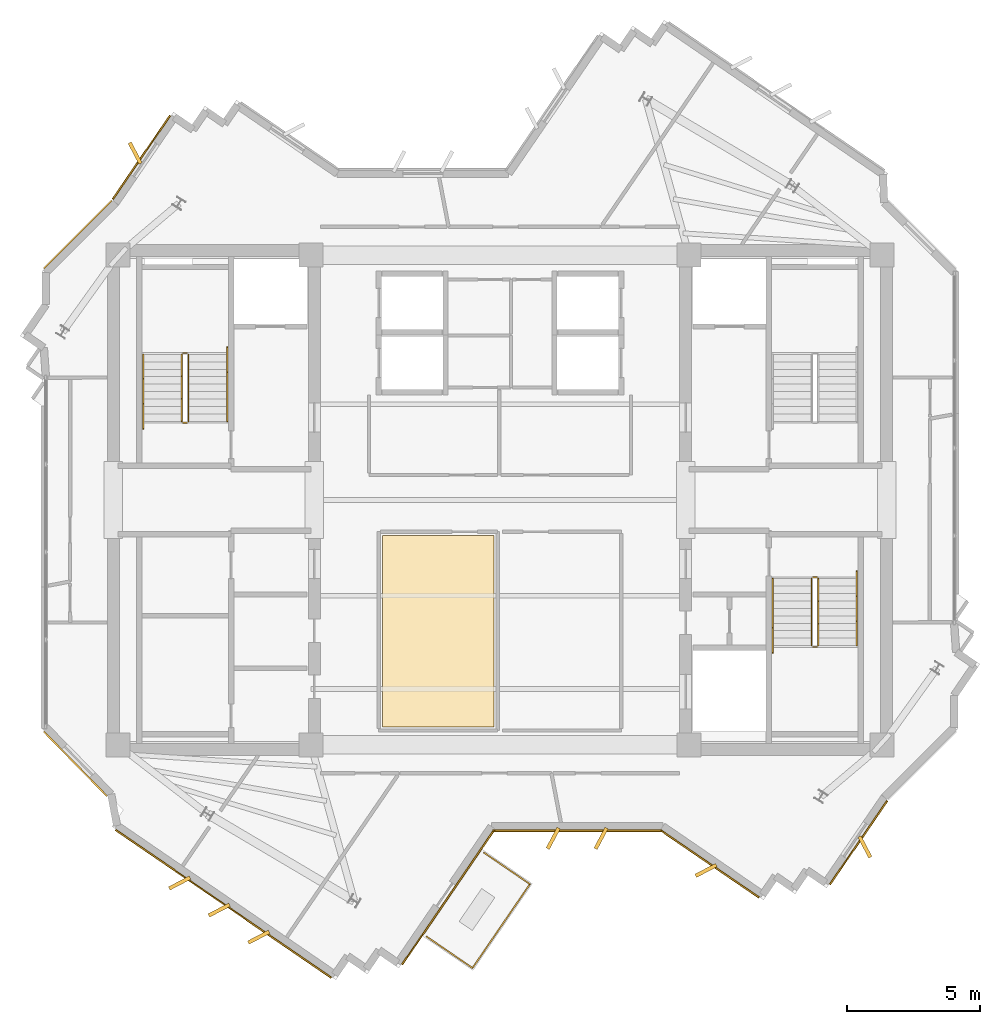
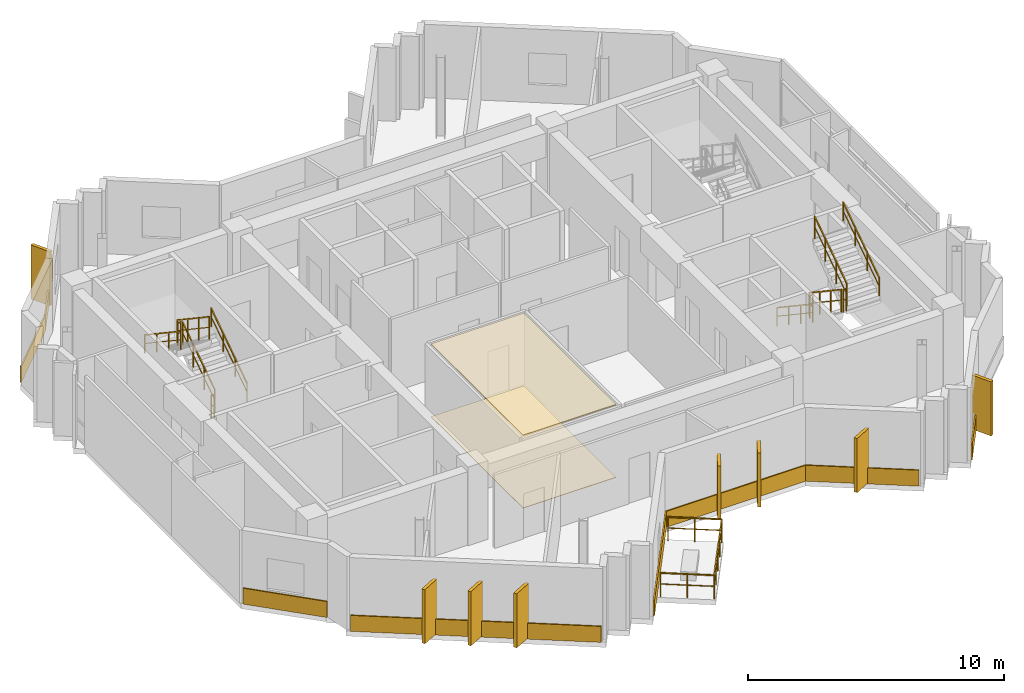
# One storey, part 10 of 11: 18 coverings, 15 railings.
"""IFC4 building model written with IfcOpenShell, lengths in metres."""

from ifc_helpers import new_model, si_unit, direction, frame, origin, origin_2d, place, context, subcontext, project, spatial, polyline, rectangle, outline, extrude, source, transform, mapped, material, layer, layer_set, type_object, element, save


model = new_model("IFC4")

# Units and contexts
model_context = context("Model", 3, precision=1e-05, world=origin(), true_north=direction((0.0, 1.0)))
body_context = subcontext(model_context, "Body", "Model", "MODEL_VIEW")
ifc_project = project(units=[si_unit("LENGTHUNIT", "METRE"), si_unit("AREAUNIT", "SQUARE_METRE"), si_unit("VOLUMEUNIT", "CUBIC_METRE"), si_unit("PLANEANGLEUNIT", "RADIAN"), si_unit("MASSUNIT", "GRAM", prefix="KILO")], contexts=[model_context])

# Site, building, storey
site_placement = place(None, origin())
site = spatial("IfcSite", under=ifc_project, at=site_placement, CompositionType="ELEMENT")
building_placement = place(site_placement, origin())
building = spatial("IfcBuilding", under=site, at=building_placement, Name="Zahravan Cultural Tower", CompositionType="ELEMENT")
storey_placement = place(building_placement, frame((0.0, 0.0, 331.050048828125)))
storey = spatial("IfcBuildingStorey", under=building, at=storey_placement, Name="L80", CompositionType="ELEMENT", Elevation=331.050048828125)

# Coverings
ifc_material_1 = material(Name="Acoustic mineral fibreboard")
ifc_layer_1 = layer(ifc_material_1, 0.0400390625)
ifc_layer_set_1 = layer_set([ifc_layer_1], Name="Acoustic mineral fibreboard")
covering_type_1 = type_object("IfcCoveringType", Name="COV-CEIL-AC20", PredefinedType="CEILING", material=ifc_layer_set_1)
covering_1_placement = place(storey_placement, frame((0.0, 0.0, 3.4599609375)))
element("IfcCovering", 1, at=covering_1_placement, inside=storey, type_object=covering_type_1, Name="L80 Acoustic Suspended Ceiling", PredefinedType="CEILING", context=body_context, shape_type="SweptSolid", body=[
    extrude(outline(polyline([(35.77001953125, 25.669921875), (31.580078125, 25.669921875), (31.580078125, 18.47998046875), (35.77001953125, 18.47998046875), (35.77001953125, 25.669921875)])), origin(), (0.0, 0.0, 1.0), 0.0400390625),
])
ifc_material_2 = material(Name="Terrazzo flooring")
ifc_layer_2 = layer(ifc_material_2, 0.02490234375)
ifc_layer_set_2 = layer_set([ifc_layer_2], Name="Terrazzo flooring")
covering_type_2 = type_object("IfcCoveringType", Name="COV-FLR-TZ25", PredefinedType="FLOORING", material=ifc_layer_set_2)
covering_2_placement = place(storey_placement, origin())
element("IfcCovering", 2, at=covering_2_placement, inside=storey, type_object=covering_type_2, Name="L80 Polished Terrazzo Flooring", PredefinedType="FLOORING", context=body_context, shape_type="SweptSolid", body=[
    extrude(outline(polyline([(35.77001953125, 25.669921875), (31.580078125, 25.669921875), (31.580078125, 18.47998046875), (35.77001953125, 18.47998046875), (35.77001953125, 25.669921875)])), origin(), (0.0, 0.0, 1.0), 0.02490234375),
])

# Railings
ifc_material_3 = material(Name="Steel ASTM A572 Grade 50", Category="steel")
railing_type_1 = type_object("IfcRailingType", Name="RL-BAL-1150", PredefinedType="BALUSTRADE", material=ifc_material_3)
railing_1_placement = place(storey_placement, frame((37.125, 12.571044921875, 0.0)))
element("IfcRailing", 3, at=railing_1_placement, inside=storey, type_object=railing_type_1, Name="L80 Edge Balustrade GRD-TR-L80-SW-01", PredefinedType="BALUSTRADE", context=body_context, shape_type="SweptSolid", body=[
    extrude(rectangle(XDim=0.05, YDim=0.05, at=origin_2d()), frame((0.0, 0.0, 1.125), z_axis=(-0.564981732672, -0.825103412759, 0.0), x_axis=(0.825103412759, -0.564981732672, 0.0)), (0.0, 0.0, 1.0), 3.820068359375),
    extrude(rectangle(XDim=0.032, YDim=0.032, at=origin_2d()), frame((0.0, 0.0, 0.597900390625), z_axis=(-0.564981732672, -0.825103412759, 0.0), x_axis=(0.825103412759, -0.564981732672, 0.0)), (0.0, 0.0, 1.0), 3.820068359375),
    extrude(rectangle(XDim=0.04, YDim=0.04, at=origin_2d()), origin(), (0.0, 0.0, 1.0), 1.14990234375),
    extrude(rectangle(XDim=0.04, YDim=0.04, at=origin_2d()), frame((-0.53955078125, -0.7880859375, 0.0)), (0.0, 0.0, 1.0), 1.14990234375),
    extrude(rectangle(XDim=0.04, YDim=0.04, at=origin_2d()), frame((-1.0791015625, -1.575927734375, 0.0)), (0.0, 0.0, 1.0), 1.14990234375),
    extrude(rectangle(XDim=0.04, YDim=0.04, at=origin_2d()), frame((-1.61865234375, -2.36376953125, 0.0)), (0.0, 0.0, 1.0), 1.14990234375),
    extrude(rectangle(XDim=0.04, YDim=0.04, at=origin_2d()), frame((-2.158203125, -3.15185546875, 0.0)), (0.0, 0.0, 1.0), 1.14990234375),
])
railing_2_placement = place(storey_placement, frame((34.966796875, 9.419189453125, 0.0)))
element("IfcRailing", 4, at=railing_2_placement, inside=storey, type_object=railing_type_1, Name="L80 Edge Balustrade GRD-TR-L80-SW-02", PredefinedType="BALUSTRADE", context=body_context, shape_type="SweptSolid", body=[
    extrude(rectangle(XDim=0.05, YDim=0.05, at=origin_2d()), frame((0.0, 0.0, 1.125), z_axis=(-0.825119027376, 0.564958928296, 0.0), x_axis=(-0.564958928296, -0.825119027376, 0.0)), (0.0, 0.0, 1.0), 2.10009765625),
    extrude(rectangle(XDim=0.032, YDim=0.032, at=origin_2d()), frame((0.0, 0.0, 0.597900390625), z_axis=(-0.825119027376, 0.564958928296, 0.0), x_axis=(-0.564958928296, -0.825119027376, 0.0)), (0.0, 0.0, 1.0), 2.10009765625),
    extrude(rectangle(XDim=0.04, YDim=0.04, at=origin_2d()), origin(), (0.0, 0.0, 1.0), 1.14990234375),
    extrude(rectangle(XDim=0.04, YDim=0.04, at=origin_2d()), frame((-0.866455078125, 0.59326171875, 0.0)), (0.0, 0.0, 1.0), 1.14990234375),
    extrude(rectangle(XDim=0.04, YDim=0.04, at=origin_2d()), frame((-1.73291015625, 1.1865234375, 0.0)), (0.0, 0.0, 1.0), 1.14990234375),
])
railing_3_placement = place(storey_placement, frame((35.39208984375, 13.757568359375, 0.0)))
element("IfcRailing", 5, at=railing_3_placement, inside=storey, type_object=railing_type_1, Name="L80 Edge Balustrade GRD-TR-L80-SW-03", PredefinedType="BALUSTRADE", context=body_context, shape_type="SweptSolid", body=[
    extrude(rectangle(XDim=0.05, YDim=0.05, at=origin_2d()), frame((0.0, 0.0, 1.125), z_axis=(0.825119027376, -0.564958928296, 0.0), x_axis=(0.564958928296, 0.825119027376, 0.0)), (0.0, 0.0, 1.0), 2.10009765625),
    extrude(rectangle(XDim=0.032, YDim=0.032, at=origin_2d()), frame((0.0, 0.0, 0.597900390625), z_axis=(0.825119027376, -0.564958928296, 0.0), x_axis=(0.564958928296, 0.825119027376, 0.0)), (0.0, 0.0, 1.0), 2.10009765625),
    extrude(rectangle(XDim=0.04, YDim=0.04, at=origin_2d()), origin(), (0.0, 0.0, 1.0), 1.14990234375),
    extrude(rectangle(XDim=0.04, YDim=0.04, at=origin_2d()), frame((0.866455078125, -0.59326171875, 0.0)), (0.0, 0.0, 1.0), 1.14990234375),
    extrude(rectangle(XDim=0.04, YDim=0.04, at=origin_2d()), frame((1.73291015625, -1.1865234375, 0.0)), (0.0, 0.0, 1.0), 1.14990234375),
])
railing_type_2 = type_object("IfcRailingType", Name="RL-STAIR-GRD1150", PredefinedType="BALUSTRADE", material=ifc_material_3)
railing_4_placement = place(storey_placement, frame((24.300048828125, 29.949951171875, 0.1875)))
element("IfcRailing", 6, at=railing_4_placement, inside=storey, type_object=railing_type_2, Name="L80 ST-W1 stair guard 1", PredefinedType="BALUSTRADE", context=body_context, shape_type="SweptSolid", body=[
    extrude(rectangle(XDim=0.05, YDim=0.05, at=origin_2d()), frame((0.0, 0.0, 1.0751953125), z_axis=(0.0, 0.830909170722, 0.55640807867), x_axis=(-1.0, 0.0, 0.0)), (0.0, 0.0, 1.0), 3.032958984375),
    extrude(rectangle(XDim=0.032, YDim=0.032, at=origin_2d()), frame((0.0, 0.0, 0.572021484375), z_axis=(0.0, 0.830909170722, 0.55640807867), x_axis=(-1.0, 0.0, 0.0)), (0.0, 0.0, 1.0), 3.032958984375),
    extrude(rectangle(XDim=0.04, YDim=0.04, at=origin_2d()), origin(), (0.0, 0.0, 1.0), 1.10009765625),
    extrude(rectangle(XDim=0.04, YDim=0.04, at=origin_2d()), frame((0.0, 0.840087890625, 0.5625)), (0.0, 0.0, 1.0), 1.10009765625),
    extrude(rectangle(XDim=0.04, YDim=0.04, at=origin_2d()), frame((0.0, 1.679931640625, 1.125)), (0.0, 0.0, 1.0), 1.10009765625),
    extrude(rectangle(XDim=0.04, YDim=0.04, at=origin_2d()), frame((0.0, 2.52001953125, 1.6875)), (0.0, 0.0, 1.0), 1.10009765625),
])
railing_5_placement = place(storey_placement, frame((24.25, 32.52001953125, 1.875)))
element("IfcRailing", 7, at=railing_5_placement, inside=storey, type_object=railing_type_2, Name="L80 ST-W1 stair guard 2", PredefinedType="BALUSTRADE", context=body_context, shape_type="SweptSolid", body=[
    extrude(rectangle(XDim=0.05, YDim=0.05, at=origin_2d()), frame((0.0, 0.0, 1.0751953125), z_axis=(-1.0, 0.0, 0.0), x_axis=(0.0, -1.0, 0.0)), (0.0, 0.0, 1.0), 0.14990234375),
    extrude(rectangle(XDim=0.032, YDim=0.032, at=origin_2d()), frame((0.0, 0.0, 0.572021484375), z_axis=(-1.0, 0.0, 0.0), x_axis=(0.0, -1.0, 0.0)), (0.0, 0.0, 1.0), 0.14990234375),
    extrude(rectangle(XDim=0.04, YDim=0.04, at=origin_2d()), origin(), (0.0, 0.0, 1.0), 1.10009765625),
    extrude(rectangle(XDim=0.04, YDim=0.04, at=origin_2d()), frame((-0.14990234375, 0.0, 0.0)), (0.0, 0.0, 1.0), 1.10009765625),
])
railing_6_placement = place(storey_placement, frame((24.050048828125, 32.469970703125, 2.0625)))
element("IfcRailing", 8, at=railing_6_placement, inside=storey, type_object=railing_type_2, Name="L80 ST-W1 stair guard 3", PredefinedType="BALUSTRADE", context=body_context, shape_type="SweptSolid", body=[
    extrude(rectangle(XDim=0.05, YDim=0.05, at=origin_2d()), frame((0.0, 0.0, 1.0751953125), z_axis=(0.0, -0.830909170722, 0.55640807867), x_axis=(1.0, 0.0, 0.0)), (0.0, 0.0, 1.0), 3.032958984375),
    extrude(rectangle(XDim=0.032, YDim=0.032, at=origin_2d()), frame((0.0, 0.0, 0.572021484375), z_axis=(0.0, -0.830909170722, 0.55640807867), x_axis=(1.0, 0.0, 0.0)), (0.0, 0.0, 1.0), 3.032958984375),
    extrude(rectangle(XDim=0.04, YDim=0.04, at=origin_2d()), origin(), (0.0, 0.0, 1.0), 1.10009765625),
    extrude(rectangle(XDim=0.04, YDim=0.04, at=origin_2d()), frame((0.0, -0.840087890625, 0.5625)), (0.0, 0.0, 1.0), 1.10009765625),
    extrude(rectangle(XDim=0.04, YDim=0.04, at=origin_2d()), frame((0.0, -1.679931640625, 1.125)), (0.0, 0.0, 1.0), 1.10009765625),
    extrude(rectangle(XDim=0.04, YDim=0.04, at=origin_2d()), frame((0.0, -2.52001953125, 1.6875)), (0.0, 0.0, 1.0), 1.10009765625),
])
railing_7_placement = place(storey_placement, frame((24.25, 29.89990234375, 0.0)))
element("IfcRailing", 9, at=railing_7_placement, inside=storey, type_object=railing_type_2, Name="L80 ST-W1 stair guard 4", PredefinedType="BALUSTRADE", context=body_context, shape_type="SweptSolid", body=[
    extrude(rectangle(XDim=0.05, YDim=0.05, at=origin_2d()), frame((0.0, 0.0, 1.0751953125), z_axis=(-1.0, 0.0, 0.0), x_axis=(0.0, -1.0, 0.0)), (0.0, 0.0, 1.0), 0.14990234375),
    extrude(rectangle(XDim=0.032, YDim=0.032, at=origin_2d()), frame((0.0, 0.0, 0.572021484375), z_axis=(-1.0, 0.0, 0.0), x_axis=(0.0, -1.0, 0.0)), (0.0, 0.0, 1.0), 0.14990234375),
    extrude(rectangle(XDim=0.04, YDim=0.04, at=origin_2d()), origin(), (0.0, 0.0, 1.0), 1.10009765625),
    extrude(rectangle(XDim=0.04, YDim=0.04, at=origin_2d()), frame((-0.14990234375, 0.0, 0.0)), (0.0, 0.0, 1.0), 1.10009765625),
])
railing_8_placement = place(storey_placement, frame((47.699951171875, 24.050048828125, 0.1875)))
element("IfcRailing", 10, at=railing_8_placement, inside=storey, type_object=railing_type_2, Name="L80 ST-E2 stair guard 1", PredefinedType="BALUSTRADE", context=body_context, shape_type="SweptSolid", body=[
    extrude(rectangle(XDim=0.05, YDim=0.05, at=origin_2d()), frame((0.0, 0.0, 1.0751953125), z_axis=(0.0, -0.830909170722, 0.55640807867), x_axis=(1.0, 0.0, 0.0)), (0.0, 0.0, 1.0), 3.032958984375),
    extrude(rectangle(XDim=0.032, YDim=0.032, at=origin_2d()), frame((0.0, 0.0, 0.572021484375), z_axis=(0.0, -0.830909170722, 0.55640807867), x_axis=(1.0, 0.0, 0.0)), (0.0, 0.0, 1.0), 3.032958984375),
    extrude(rectangle(XDim=0.04, YDim=0.04, at=origin_2d()), origin(), (0.0, 0.0, 1.0), 1.10009765625),
    extrude(rectangle(XDim=0.04, YDim=0.04, at=origin_2d()), frame((0.0, -0.840087890625, 0.5625)), (0.0, 0.0, 1.0), 1.10009765625),
    extrude(rectangle(XDim=0.04, YDim=0.04, at=origin_2d()), frame((0.0, -1.679931640625, 1.125)), (0.0, 0.0, 1.0), 1.10009765625),
    extrude(rectangle(XDim=0.04, YDim=0.04, at=origin_2d()), frame((0.0, -2.52001953125, 1.6875)), (0.0, 0.0, 1.0), 1.10009765625),
])
railing_9_placement = place(storey_placement, frame((47.75, 21.47998046875, 1.875)))
element("IfcRailing", 11, at=railing_9_placement, inside=storey, type_object=railing_type_2, Name="L80 ST-E2 stair guard 2", PredefinedType="BALUSTRADE", context=body_context, shape_type="SweptSolid", body=[
    extrude(rectangle(XDim=0.05, YDim=0.05, at=origin_2d()), frame((0.0, 0.0, 1.0751953125), z_axis=(1.0, 0.0, 0.0), x_axis=(0.0, 1.0, 0.0)), (0.0, 0.0, 1.0), 0.14990234375),
    extrude(rectangle(XDim=0.032, YDim=0.032, at=origin_2d()), frame((0.0, 0.0, 0.572021484375), z_axis=(1.0, 0.0, 0.0), x_axis=(0.0, 1.0, 0.0)), (0.0, 0.0, 1.0), 0.14990234375),
    extrude(rectangle(XDim=0.04, YDim=0.04, at=origin_2d()), origin(), (0.0, 0.0, 1.0), 1.10009765625),
    extrude(rectangle(XDim=0.04, YDim=0.04, at=origin_2d()), frame((0.14990234375, 0.0, 0.0)), (0.0, 0.0, 1.0), 1.10009765625),
])
railing_10_placement = place(storey_placement, frame((47.949951171875, 21.530029296875, 2.0625)))
element("IfcRailing", 12, at=railing_10_placement, inside=storey, type_object=railing_type_2, Name="L80 ST-E2 stair guard 3", PredefinedType="BALUSTRADE", context=body_context, shape_type="SweptSolid", body=[
    extrude(rectangle(XDim=0.05, YDim=0.05, at=origin_2d()), frame((0.0, 0.0, 1.0751953125), z_axis=(0.0, 0.830909170722, 0.55640807867), x_axis=(-1.0, 0.0, 0.0)), (0.0, 0.0, 1.0), 3.032958984375),
    extrude(rectangle(XDim=0.032, YDim=0.032, at=origin_2d()), frame((0.0, 0.0, 0.572021484375), z_axis=(0.0, 0.830909170722, 0.55640807867), x_axis=(-1.0, 0.0, 0.0)), (0.0, 0.0, 1.0), 3.032958984375),
    extrude(rectangle(XDim=0.04, YDim=0.04, at=origin_2d()), origin(), (0.0, 0.0, 1.0), 1.10009765625),
    extrude(rectangle(XDim=0.04, YDim=0.04, at=origin_2d()), frame((0.0, 0.840087890625, 0.5625)), (0.0, 0.0, 1.0), 1.10009765625),
    extrude(rectangle(XDim=0.04, YDim=0.04, at=origin_2d()), frame((0.0, 1.679931640625, 1.125)), (0.0, 0.0, 1.0), 1.10009765625),
    extrude(rectangle(XDim=0.04, YDim=0.04, at=origin_2d()), frame((0.0, 2.52001953125, 1.6875)), (0.0, 0.0, 1.0), 1.10009765625),
])
railing_11_placement = place(storey_placement, frame((47.75, 24.10009765625, 0.0)))
element("IfcRailing", 13, at=railing_11_placement, inside=storey, type_object=railing_type_2, Name="L80 ST-E2 stair guard 4", PredefinedType="BALUSTRADE", context=body_context, shape_type="SweptSolid", body=[
    extrude(rectangle(XDim=0.05, YDim=0.05, at=origin_2d()), frame((0.0, 0.0, 1.0751953125), z_axis=(1.0, 0.0, 0.0), x_axis=(0.0, 1.0, 0.0)), (0.0, 0.0, 1.0), 0.14990234375),
    extrude(rectangle(XDim=0.032, YDim=0.032, at=origin_2d()), frame((0.0, 0.0, 0.572021484375), z_axis=(1.0, 0.0, 0.0), x_axis=(0.0, 1.0, 0.0)), (0.0, 0.0, 1.0), 0.14990234375),
    extrude(rectangle(XDim=0.04, YDim=0.04, at=origin_2d()), origin(), (0.0, 0.0, 1.0), 1.10009765625),
    extrude(rectangle(XDim=0.04, YDim=0.04, at=origin_2d()), frame((0.14990234375, 0.0, 0.0)), (0.0, 0.0, 1.0), 1.10009765625),
])
railing_type_3 = type_object("IfcRailingType", Name="RL-STAIR-HR900", PredefinedType="HANDRAIL", material=ifc_material_3)
railing_12_placement = place(storey_placement, frame((25.75, 29.949951171875, 0.1875)))
element("IfcRailing", 14, at=railing_12_placement, inside=storey, type_object=railing_type_3, Name="L80 ST-W1 stair handrail 1", PredefinedType="HANDRAIL", context=body_context, shape_type="SweptSolid", body=[
    extrude(rectangle(XDim=0.05, YDim=0.05, at=origin_2d()), frame((0.0, 0.0, 0.875), z_axis=(0.0, 0.830911662861, 0.55640435703), x_axis=(-1.0, 0.0, 0.0)), (0.0, 0.0, 1.0), 3.369873046875),
    extrude(rectangle(XDim=0.032, YDim=0.032, at=origin_2d()), frame((0.0, 0.0, 0.468017578125), z_axis=(0.0, 0.830911662861, 0.55640435703), x_axis=(-1.0, 0.0, 0.0)), (0.0, 0.0, 1.0), 3.369873046875),
    extrude(rectangle(XDim=0.04, YDim=0.04, at=origin_2d()), origin(), (0.0, 0.0, 1.0), 0.89990234375),
    extrude(rectangle(XDim=0.04, YDim=0.04, at=origin_2d()), frame((0.0, 0.933349609375, 0.625)), (0.0, 0.0, 1.0), 0.89990234375),
    extrude(rectangle(XDim=0.04, YDim=0.04, at=origin_2d()), frame((0.0, 1.86669921875, 1.25)), (0.0, 0.0, 1.0), 0.89990234375),
    extrude(rectangle(XDim=0.04, YDim=0.04, at=origin_2d()), frame((0.0, 2.800048828125, 1.875)), (0.0, 0.0, 1.0), 0.89990234375),
])
for number, where, name in (
    (15, (22.60009765625, 32.469970703125, 2.0625), "L80 ST-W1 stair handrail 2"),
    (16, (46.25, 24.050048828125, 0.1875), "L80 ST-E2 stair handrail 1"),
):
    element("IfcRailing", number, at=place(storey_placement, frame(where)), inside=storey, type_object=railing_type_3, Name=name, PredefinedType="HANDRAIL", context=body_context, shape_type="SweptSolid", body=[
        extrude(rectangle(XDim=0.05, YDim=0.05, at=origin_2d()), frame((0.0, 0.0, 0.875), z_axis=(0.0, -0.830911662861, 0.55640435703), x_axis=(1.0, 0.0, 0.0)), (0.0, 0.0, 1.0), 3.369873046875),
        extrude(rectangle(XDim=0.032, YDim=0.032, at=origin_2d()), frame((0.0, 0.0, 0.468017578125), z_axis=(0.0, -0.830911662861, 0.55640435703), x_axis=(1.0, 0.0, 0.0)), (0.0, 0.0, 1.0), 3.369873046875),
        extrude(rectangle(XDim=0.04, YDim=0.04, at=origin_2d()), origin(), (0.0, 0.0, 1.0), 0.89990234375),
        extrude(rectangle(XDim=0.04, YDim=0.04, at=origin_2d()), frame((0.0, -0.933349609375, 0.625)), (0.0, 0.0, 1.0), 0.89990234375),
        extrude(rectangle(XDim=0.04, YDim=0.04, at=origin_2d()), frame((0.0, -1.86669921875, 1.25)), (0.0, 0.0, 1.0), 0.89990234375),
        extrude(rectangle(XDim=0.04, YDim=0.04, at=origin_2d()), frame((0.0, -2.800048828125, 1.875)), (0.0, 0.0, 1.0), 0.89990234375),
    ])
railing_13_placement = place(storey_placement, frame((49.39990234375, 21.530029296875, 2.0625)))
element("IfcRailing", 17, at=railing_13_placement, inside=storey, type_object=railing_type_3, Name="L80 ST-E2 stair handrail 2", PredefinedType="HANDRAIL", context=body_context, shape_type="SweptSolid", body=[
    extrude(rectangle(XDim=0.05, YDim=0.05, at=origin_2d()), frame((0.0, 0.0, 0.875), z_axis=(0.0, 0.830911662861, 0.55640435703), x_axis=(-1.0, 0.0, 0.0)), (0.0, 0.0, 1.0), 3.369873046875),
    extrude(rectangle(XDim=0.032, YDim=0.032, at=origin_2d()), frame((0.0, 0.0, 0.468017578125), z_axis=(0.0, 0.830911662861, 0.55640435703), x_axis=(-1.0, 0.0, 0.0)), (0.0, 0.0, 1.0), 3.369873046875),
    extrude(rectangle(XDim=0.04, YDim=0.04, at=origin_2d()), origin(), (0.0, 0.0, 1.0), 0.89990234375),
    extrude(rectangle(XDim=0.04, YDim=0.04, at=origin_2d()), frame((0.0, 0.933349609375, 0.625)), (0.0, 0.0, 1.0), 0.89990234375),
    extrude(rectangle(XDim=0.04, YDim=0.04, at=origin_2d()), frame((0.0, 1.86669921875, 1.25)), (0.0, 0.0, 1.0), 0.89990234375),
    extrude(rectangle(XDim=0.04, YDim=0.04, at=origin_2d()), frame((0.0, 2.800048828125, 1.875)), (0.0, 0.0, 1.0), 0.89990234375),
])

# Coverings
ifc_material_4 = material(Name="Terracotta ceramic cladding", Category="masonry")
ifc_layer_3 = layer(ifc_material_4, 0.06005859375)
ifc_layer_set_3 = layer_set([ifc_layer_3], Name="Terracotta ceramic cladding")
covering_type_3 = type_object("IfcCoveringType", Name="COV-CLAD-TC60", PredefinedType="CLADDING", material=ifc_layer_set_3)
shared_shape_1 = source(origin(), body_context, "Body", "SweptSolid", [
    extrude(rectangle(XDim=9.820068359375, YDim=0.06005859375, at=origin_2d()), origin(), (0.0, 0.0, 1.0), 0.760009765625),
])
covering_3_placement = place(storey_placement, frame((25.613037109375, 11.830322265625, 0.02001953125), z_axis=(0.0, 0.0, 1.0), x_axis=(-0.825123358687, 0.564952602392, 0.0)))
element("IfcCovering", 18, at=covering_3_placement, inside=storey, type_object=covering_type_3, Name="L80 Terracotta Spandrel Cladding 39", PredefinedType="CLADDING", context=body_context, shape_type="MappedRepresentation", body=[
    mapped(shared_shape_1, transform((0.0, 0.0, 0.0), x_axis=(1.0, 0.0, 0.0), y_axis=(0.0, 1.0, 0.0), z_axis=(0.0, 0.0, 1.0), scale=1.0)),
])
shared_shape_2 = source(origin(), body_context, "Body", "SweptSolid", [
    extrude(rectangle(XDim=0.8798828125, YDim=0.139892578125, at=origin_2d()), origin(), (0.0, 0.0, 1.0), 2.580078125),
])
for number, where, z_axis, x_axis, name in (
    (19, (22.29443359375, 40.02978515625, 0.0498046875), (0.0, 0.0, 1.0), (-0.46331150222, 0.886195493055, 0.0), "L80 Herringbone Terracotta Fin 01"),
    (20, (49.70556640625, 13.97021484375, 0.0498046875), (0.0, 0.0, 1.0), (0.46331150222, -0.886195493055, 0.0), "L80 Herringbone Terracotta Fin 10"),
    (21, (43.73828125, 13.08447265625, 0.0498046875), (0.0, 0.0, 1.0), (-0.886203579231, -0.46329603512, 0.0), "L80 Herringbone Terracotta Fin 11"),
    (22, (39.797119140625, 14.2900390625, 0.0498046875), (0.0, 0.0, 1.0), (-0.469471562786, -0.882947592859, 0.0), "L80 Herringbone Terracotta Fin 12"),
    (23, (37.9970703125, 14.2900390625, 0.0498046875), (0.0, 0.0, 1.0), (-0.469471562786, -0.882947592859, 0.0), "L80 Herringbone Terracotta Fin 13"),
    (24, (26.937255859375, 10.578125, 0.0498046875), (0.0, 0.0, 1.0), (-0.886195493055, -0.46331150222, 0.0), "L80 Herringbone Terracotta Fin 14"),
    (25, (25.4521484375, 11.59521484375, 0.0498046875), (0.0, 0.0, 1.0), (-0.886195493055, -0.46331150222, 0.0), "L80 Herringbone Terracotta Fin 15"),
    (26, (23.966796875, 12.612060546875, 0.0498046875), (0.0, 0.0, 1.0), (-0.886195493055, -0.46331150222, 0.0), "L80 Herringbone Terracotta Fin 16"),
):
    element("IfcCovering", number, at=place(storey_placement, frame(where, z_axis=z_axis, x_axis=x_axis)), inside=storey, type_object=covering_type_3, Name=name, PredefinedType="CLADDING", context=body_context, shape_type="MappedRepresentation", body=[
        mapped(shared_shape_2, transform((0.0, 0.0, 0.0), x_axis=(1.0, 0.0, 0.0), y_axis=(0.0, 1.0, 0.0), z_axis=(0.0, 0.0, 1.0), scale=1.0)),
    ])
shared_shape_3 = source(origin(), body_context, "Body", "SweptSolid", [
    extrude(rectangle(XDim=3.40771484375, YDim=0.06005859375, at=origin_2d()), origin(), (0.0, 0.0, 1.0), 0.760009765625),
])
covering_4_placement = place(storey_placement, frame((20.04833984375, 17.0888671875, 0.02001953125), z_axis=(0.0, 0.0, 1.0), x_axis=(-0.699189330443, 0.714936556762, 0.0)))
element("IfcCovering", 27, at=covering_4_placement, inside=storey, type_object=covering_type_3, Name="L80 Terracotta Spandrel Cladding 01", PredefinedType="CLADDING", context=body_context, shape_type="MappedRepresentation", body=[
    mapped(shared_shape_3, transform((0.0, 0.0, 0.0), x_axis=(1.0, 0.0, 0.0), y_axis=(0.0, 1.0, 0.0), z_axis=(0.0, 0.0, 1.0), scale=1.0)),
])
shared_shape_4 = source(origin(), body_context, "Body", "SweptSolid", [
    extrude(rectangle(XDim=3.609619140625, YDim=0.06005859375, at=origin_2d()), origin(), (0.0, 0.0, 1.0), 0.760009765625),
])
covering_5_placement = place(storey_placement, frame((20.134765625, 36.97021484375, 0.02001953125), z_axis=(0.0, 0.0, 1.0), x_axis=(0.707106781187, 0.707106781187, 0.0)))
element("IfcCovering", 28, at=covering_5_placement, inside=storey, type_object=covering_type_3, Name="L80 Terracotta Spandrel Cladding 06", PredefinedType="CLADDING", context=body_context, shape_type="MappedRepresentation", body=[
    mapped(shared_shape_4, transform((0.0, 0.0, 0.0), x_axis=(1.0, 0.0, 0.0), y_axis=(0.0, 1.0, 0.0), z_axis=(0.0, 0.0, 1.0), scale=1.0)),
])
shared_shape_5 = source(origin(), body_context, "Body", "SweptSolid", [
    extrude(rectangle(XDim=3.803955078125, YDim=0.06005859375, at=origin_2d()), origin(), (0.0, 0.0, 1.0), 0.760009765625),
])
for number, where, z_axis, x_axis, name in (
    (29, (22.52978515625, 39.868896484375, 0.02001953125), (0.0, 0.0, 1.0), (0.564952602392, 0.825123358687, 0.0), "L80 Terracotta Spandrel Cladding 07"),
    (30, (49.47021484375, 14.131103515625, 0.02001953125), (0.0, 0.0, 1.0), (-0.564952602392, -0.825123358687, 0.0), "L80 Terracotta Spandrel Cladding 27"),
):
    element("IfcCovering", number, at=place(storey_placement, frame(where, z_axis=z_axis, x_axis=x_axis)), inside=storey, type_object=covering_type_3, Name=name, PredefinedType="CLADDING", context=body_context, shape_type="MappedRepresentation", body=[
        mapped(shared_shape_5, transform((0.0, 0.0, 0.0), x_axis=(1.0, 0.0, 0.0), y_axis=(0.0, 1.0, 0.0), z_axis=(0.0, 0.0, 1.0), scale=1.0)),
    ])
shared_shape_6 = source(origin(), body_context, "Body", "SweptSolid", [
    extrude(rectangle(XDim=4.4462890625, YDim=0.06005859375, at=origin_2d()), origin(), (0.0, 0.0, 1.0), 0.760009765625),
])
covering_6_placement = place(storey_placement, frame((43.8994140625, 13.319580078125, 0.02001953125), z_axis=(0.0, 0.0, 1.0), x_axis=(-0.825113498278, 0.564967003425, 0.0)))
element("IfcCovering", 31, at=covering_6_placement, inside=storey, type_object=covering_type_3, Name="L80 Terracotta Spandrel Cladding 32", PredefinedType="CLADDING", context=body_context, shape_type="MappedRepresentation", body=[
    mapped(shared_shape_6, transform((0.0, 0.0, 0.0), x_axis=(1.0, 0.0, 0.0), y_axis=(0.0, 1.0, 0.0), z_axis=(0.0, 0.0, 1.0), scale=1.0)),
])
shared_shape_7 = source(origin(), body_context, "Body", "SweptSolid", [
    extrude(rectangle(XDim=6.340087890625, YDim=0.06005859375, at=origin_2d()), origin(), (0.0, 0.0, 1.0), 0.760009765625),
])
covering_7_placement = place(storey_placement, frame((38.89697265625, 14.574951171875, 0.02001953125), z_axis=(0.0, 0.0, 1.0), x_axis=(-1.0, 0.0, 0.0)))
element("IfcCovering", 32, at=covering_7_placement, inside=storey, type_object=covering_type_3, Name="L80 Terracotta Spandrel Cladding 33", PredefinedType="CLADDING", context=body_context, shape_type="MappedRepresentation", body=[
    mapped(shared_shape_7, transform((0.0, 0.0, 0.0), x_axis=(1.0, 0.0, 0.0), y_axis=(0.0, 1.0, 0.0), z_axis=(0.0, 0.0, 1.0), scale=1.0)),
])
shared_shape_8 = source(origin(), body_context, "Body", "SweptSolid", [
    extrude(rectangle(XDim=6.12158203125, YDim=0.06005859375, at=origin_2d()), origin(), (0.0, 0.0, 1.0), 0.760009765625),
])
covering_8_placement = place(storey_placement, frame((34.0556640625, 12.080078125, 0.02001953125), z_axis=(0.0, 0.0, 1.0), x_axis=(-0.564967003425, -0.825113498278, 0.0)))
element("IfcCovering", 33, at=covering_8_placement, inside=storey, type_object=covering_type_3, Name="L80 Terracotta Spandrel Cladding 34", PredefinedType="CLADDING", context=body_context, shape_type="MappedRepresentation", body=[
    mapped(shared_shape_8, transform((0.0, 0.0, 0.0), x_axis=(1.0, 0.0, 0.0), y_axis=(0.0, 1.0, 0.0), z_axis=(0.0, 0.0, 1.0), scale=1.0)),
])

save(model, "model.ifc")
